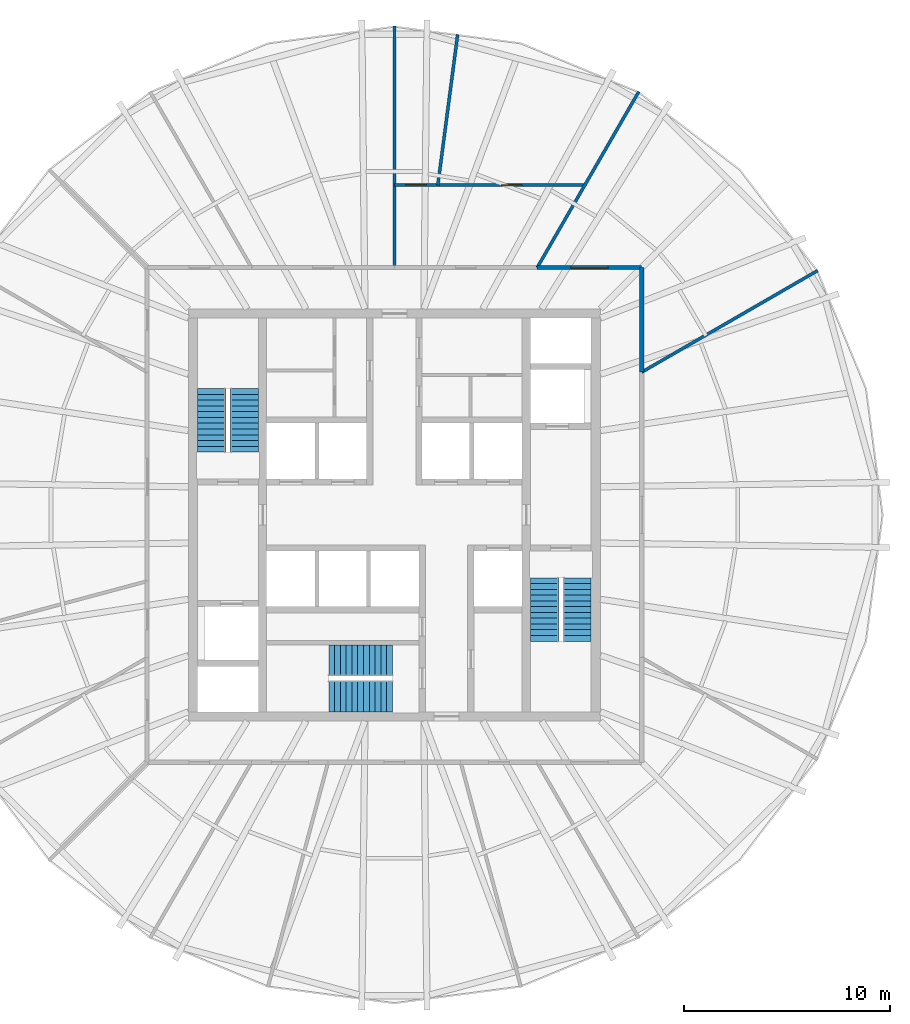
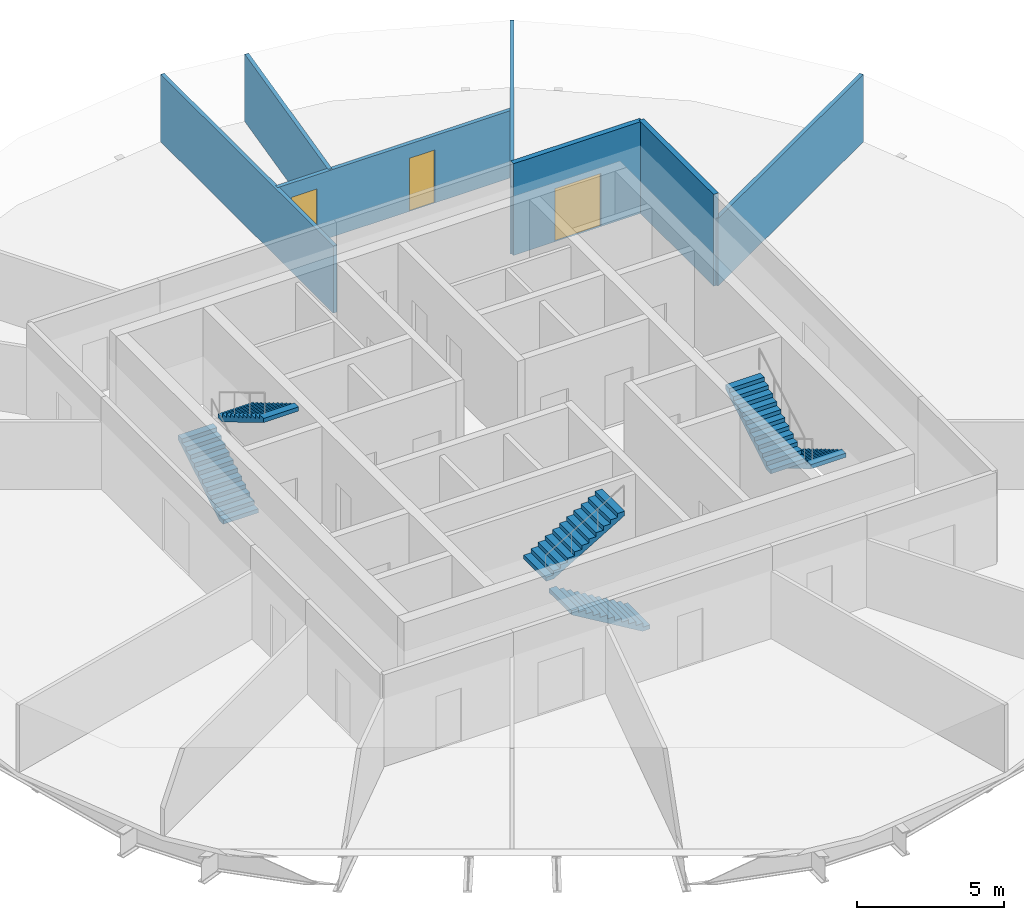
# One storey, part 5 of 6: 7 walls, 6 stair flights, 3 doors, 3 openings, 3 elements without a shape of their own.
"""IFC4 building model written with IfcOpenShell, lengths in metres."""

from ifc_helpers import new_model, si_unit, direction, frame, frame_2d, origin, place, context, subcontext, project, spatial, polyline, rectangle, outline, extrude, material, layer, layer_set, type_object, element, fill, aggregate, save


model = new_model("IFC4")

# Units and contexts
model_context = context("Model", 3, precision=1e-05, world=origin(), true_north=direction((0.0, 1.0)))
body_context = subcontext(model_context, "Body", "Model", "MODEL_VIEW")
ifc_project = project(units=[si_unit("LENGTHUNIT", "METRE"), si_unit("AREAUNIT", "SQUARE_METRE"), si_unit("VOLUMEUNIT", "CUBIC_METRE"), si_unit("PLANEANGLEUNIT", "RADIAN"), si_unit("MASSUNIT", "GRAM", prefix="KILO")], contexts=[model_context])

# Site, building, storey
site_placement = place(None, origin())
site = spatial("IfcSite", under=ifc_project, at=site_placement, CompositionType="ELEMENT")
building_placement = place(site_placement, origin())
building = spatial("IfcBuilding", under=site, at=building_placement, Name="Golbaran Civic Tower", CompositionType="ELEMENT")
storey_placement = place(building_placement, frame((0.0, 0.0, 187.0)))
storey = spatial("IfcBuildingStorey", under=building, at=storey_placement, Name="L45", CompositionType="ELEMENT", Elevation=187.0)

# Wall
ifc_material_1 = material(Name="Gypsum board on steel studs, fire-rated", Category="steel")
ifc_layer_1 = layer(ifc_material_1, 0.199951171875, Name="Gypsum board on steel studs, fire-rated")
ifc_layer_set_1 = layer_set([ifc_layer_1], Name="Gypsum board on steel studs, fire-rated")
wall_type_1 = type_object("IfcWallType", Name="CORRIDOR WALL 200", PredefinedType="PARTITIONING", material=ifc_layer_set_1)
wall_1_placement = place(storey_placement, frame((12.0, 6.92822265625, 0.0), z_axis=(0.0, 0.0, 1.0), x_axis=(0.0, 1.0, 0.0)))
element("IfcWall", 1, at=wall_1_placement, inside=storey, type_object=wall_type_1, Name="Corridor wall L45", PredefinedType="PARTITIONING", context=body_context, shape_type="SweptSolid", body=[
    extrude(rectangle(XDim=5.07177734375, YDim=0.199951171875, at=frame_2d((2.535888671875, 0.0))), origin(), (0.0, 0.0, 1.0), 3.800048828125),
])

# Wall, opening, door
wall_2_placement = place(storey_placement, frame((12.0, 12.0, 0.0), z_axis=(0.0, 0.0, 1.0), x_axis=(-1.0, 0.0, 0.0)))
wall_2 = element("IfcWall", 2, at=wall_2_placement, inside=storey, type_object=wall_type_1, Name="Corridor wall L45", PredefinedType="PARTITIONING", context=body_context, shape_type="SweptSolid", body=[
    extrude(rectangle(XDim=5.07177734375, YDim=0.199951171875, at=frame_2d((2.535888671875, 0.0))), origin(), (0.0, 0.0, 1.0), 3.800048828125),
])
opening_1_placement = place(wall_2_placement, frame((1.635986328125, 0.0, 0.0)))
opening_1 = element("IfcOpeningElement", 3, at=opening_1_placement, cuts=wall_2, Name="Opening L45.05", PredefinedType="OPENING", context=body_context, shape_type="SweptSolid", body=[
    extrude(rectangle(XDim=1.800048828125, YDim=2.199951171875, at=frame_2d((0.89990234375, 1.10009765625))), frame((0.0, 0.10986328125, 0.0), z_axis=(0.0, -1.0, 0.0), x_axis=(1.0, 0.0, 0.0)), (0.0, 0.0, 1.0), 0.219970703125),
])
ifc_material_2 = material(Name="Timber door set in steel frame", Category="steel")
door_type_1 = type_object("IfcDoorType", Name="OFFICE DOUBLE DOOR 1800x2200", OperationType="DOUBLE_DOOR_SINGLE_SWING", PredefinedType="DOOR", material=ifc_material_2)
door_1_placement = place(opening_1_placement, origin())
door_1 = element("IfcDoor", 4, at=door_1_placement, inside=storey, type_object=door_type_1, Name="Open Office door L45", OperationType="DOUBLE_DOOR_SINGLE_SWING", OverallHeight=2.199951171875, OverallWidth=1.800048828125, PredefinedType="DOOR", context=body_context, shape_type="SweptSolid", body=[
    extrude(rectangle(XDim=1.800048828125, YDim=2.199951171875, at=frame_2d((0.89990234375, 1.10009765625))), frame((0.0, 0.02490234375, 0.0), z_axis=(0.0, -1.0, 0.0), x_axis=(1.0, 0.0, 0.0)), (0.0, 0.0, 1.0), 0.050048828125),
])
fill(opening_1, door_1)

# Walls
ifc_material_3 = material(Name="Gypsum board on steel studs", Category="steel")
ifc_layer_2 = layer(ifc_material_3, 0.14990234375, Name="Gypsum board on steel studs")
ifc_layer_set_2 = layer_set([ifc_layer_2], Name="Gypsum board on steel studs")
wall_type_2 = type_object("IfcWallType", Name="OFFICE PARTITION 150", PredefinedType="PARTITIONING", material=ifc_layer_set_2)
for number, where, z_axis, x_axis, name in (
    (5, (12.0, 6.92822265625, 0.0), (0.0, 0.0, 1.0), (0.866027739639, 0.49999595416, 0.0), "Partition 30 L45"),
    (6, (6.92822265625, 12.0, 0.0), (0.0, 0.0, 1.0), (0.49999595416, 0.866027739639, 0.0), "Partition 60 L45"),
):
    element("IfcWall", number, at=place(storey_placement, frame(where, z_axis=z_axis, x_axis=x_axis)), inside=storey, type_object=wall_type_2, Name=name, PredefinedType="PARTITIONING", context=body_context, shape_type="SweptSolid", body=[
        extrude(rectangle(XDim=9.86474609375, YDim=0.14990234375, at=frame_2d((4.932373046875, 0.0))), origin(), (0.0, 0.0, 1.0), 2.7900390625),
    ])
wall_3_placement = place(storey_placement, frame((0.0, 12.0, 0.0), z_axis=(0.0, 0.0, 1.0), x_axis=(0.0, 1.0, 0.0)))
element("IfcWall", 7, at=wall_3_placement, inside=storey, type_object=wall_type_2, Name="Partition 90 L45", PredefinedType="PARTITIONING", context=body_context, shape_type="SweptSolid", body=[
    extrude(rectangle(XDim=11.72119140625, YDim=0.14990234375, at=frame_2d((5.860595703125, 0.0))), origin(), (0.0, 0.0, 1.0), 2.7900390625),
])

# Wall, openings, doors
wall_4_placement = place(storey_placement, frame((9.237548828125, 16.0, 0.0), z_axis=(0.0, 0.0, 1.0), x_axis=(-1.0, 0.0, 0.0)))
wall_4 = element("IfcWall", 8, at=wall_4_placement, inside=storey, type_object=wall_type_2, Name="Suite partition L45", PredefinedType="PARTITIONING", context=body_context, shape_type="SweptSolid", body=[
    extrude(rectangle(XDim=9.237548828125, YDim=0.14990234375, at=frame_2d((4.61865234375, 0.0))), origin(), (0.0, 0.0, 1.0), 2.7900390625),
])
opening_2_placement = place(wall_4_placement, frame((3.065673828125, 0.0, 0.0)))
opening_2 = element("IfcOpeningElement", 9, at=opening_2_placement, cuts=wall_4, Name="Opening L45.02", PredefinedType="OPENING", context=body_context, shape_type="SweptSolid", body=[
    extrude(rectangle(XDim=1.0, YDim=2.199951171875, at=frame_2d((0.5, 1.10009765625))), frame((0.0, 0.0849609375, 0.0), z_axis=(0.0, -1.0, 0.0), x_axis=(1.0, 0.0, 0.0)), (0.0, 0.0, 1.0), 0.169921875),
])
opening_3_placement = place(wall_4_placement, frame((7.684326171875, 0.0, 0.0)))
opening_3 = element("IfcOpeningElement", 10, at=opening_3_placement, cuts=wall_4, Name="Opening L45.03", PredefinedType="OPENING", context=body_context, shape_type="SweptSolid", body=[
    extrude(rectangle(XDim=1.0, YDim=2.199951171875, at=frame_2d((0.5, 1.10009765625))), frame((0.0, 0.0849609375, 0.0), z_axis=(0.0, -1.0, 0.0), x_axis=(1.0, 0.0, 0.0)), (0.0, 0.0, 1.0), 0.169921875),
])
door_type_2 = type_object("IfcDoorType", Name="OFFICE DOOR 1000x2200", OperationType="SINGLE_SWING_LEFT", PredefinedType="DOOR", material=ifc_material_2)
door_2_placement = place(opening_2_placement, origin())
door_2 = element("IfcDoor", 11, at=door_2_placement, inside=storey, type_object=door_type_2, Name="Director's Office door L45", OperationType="SINGLE_SWING_LEFT", OverallHeight=2.199951171875, OverallWidth=1.0, PredefinedType="DOOR", context=body_context, shape_type="SweptSolid", body=[
    extrude(rectangle(XDim=1.0, YDim=2.199951171875, at=frame_2d((0.5, 1.10009765625))), frame((0.0, 0.02490234375, 0.0), z_axis=(0.0, -1.0, 0.0), x_axis=(1.0, 0.0, 0.0)), (0.0, 0.0, 1.0), 0.050048828125),
])
fill(opening_2, door_2)
door_3_placement = place(opening_3_placement, origin())
door_3 = element("IfcDoor", 12, at=door_3_placement, inside=storey, type_object=door_type_2, Name="Office door L45", OperationType="SINGLE_SWING_RIGHT", OverallHeight=2.199951171875, OverallWidth=1.0, PredefinedType="DOOR", context=body_context, shape_type="SweptSolid", body=[
    extrude(rectangle(XDim=1.0, YDim=2.199951171875, at=frame_2d((0.5, 1.10009765625))), frame((0.0, 0.02490234375, 0.0), z_axis=(0.0, -1.0, 0.0), x_axis=(1.0, 0.0, 0.0)), (0.0, 0.0, 1.0), 0.050048828125),
])
fill(opening_3, door_3)

# Wall
wall_5_placement = place(storey_placement, frame((2.1064453125, 16.0, 0.0), z_axis=(0.0, 0.0, 1.0), x_axis=(0.130534093561, 0.991443821111, 0.0)))
element("IfcWall", 13, at=wall_5_placement, inside=storey, type_object=wall_type_2, Name="Partition 82.5 L45", PredefinedType="PARTITIONING", context=body_context, shape_type="SweptSolid", body=[
    extrude(rectangle(XDim=7.38037109375, YDim=0.14990234375, at=frame_2d((3.690185546875, 0.0))), origin(), (0.0, 0.0, 1.0), 2.7900390625),
])

# Stair, stair flights
ifc_material_4 = material(Name="Concrete C35/45", Category="concrete")
stair_type_1 = type_object("IfcStairType", Name="EXIT STAIR 2950 x 7800, 4000 RISE", PredefinedType="HALF_TURN_STAIR", material=ifc_material_4)
stair_1_placement = place(storey_placement, origin())
stair_1 = element("IfcStair", 14, at=stair_1_placement, inside=storey, type_object=stair_type_1, Name="Stair S1 L45", PredefinedType="HALF_TURN_STAIR")
stair_flight_type_1 = type_object("IfcStairFlightType", Name="STAIR FLIGHT 1375 WIDE", PredefinedType="STRAIGHT", material=ifc_material_4)
stair_flight_1_placement = place(storey_placement, frame((-8.862548828125, 3.050048828125, 0.0), z_axis=(0.0, 0.0, 1.0), x_axis=(0.0, 1.0, 0.0)))
stair_flight_1 = element("IfcStairFlight", 15, at=stair_flight_1_placement, type_object=stair_flight_type_1, Name="ST29578-40 flight 1", NumberOfRisers=12, NumberOfTreads=11, PredefinedType="STRAIGHT", RiserHeight=0.166666667, TreadLength=0.28, context=body_context, shape_type="SweptSolid", body=[
    extrude(outline(polyline([(0.0, 0.0), (0.0, 0.166748046875), (0.280029296875, 0.166748046875), (0.280029296875, 0.333251953125), (0.56005859375, 0.333251953125), (0.56005859375, 0.5), (0.840087890625, 0.5), (0.840087890625, 0.666748046875), (1.1201171875, 0.666748046875), (1.1201171875, 0.833251953125), (1.39990234375, 0.833251953125), (1.39990234375, 1.0), (1.679931640625, 1.0), (1.679931640625, 1.166748046875), (1.9599609375, 1.166748046875), (1.9599609375, 1.333251953125), (2.239990234375, 1.333251953125), (2.239990234375, 1.5), (2.52001953125, 1.5), (2.52001953125, 1.666748046875), (2.800048828125, 1.666748046875), (2.800048828125, 1.833251953125), (3.080078125, 1.833251953125), (3.080078125, 2.0), (3.080078125, 1.658935546875), (0.29296875, 0.0), (0.0, 0.0)])), frame((0.0, 0.6875, 0.0), z_axis=(0.0, -1.0, 0.0), x_axis=(1.0, 0.0, 0.0)), (0.0, 0.0, 1.0), 1.375),
])
stair_flight_2_placement = place(storey_placement, frame((-7.28759765625, 6.1298828125, 2.0), z_axis=(0.0, 0.0, 1.0), x_axis=(0.0, -1.0, 0.0)))
stair_flight_2 = element("IfcStairFlight", 16, at=stair_flight_2_placement, type_object=stair_flight_type_1, Name="ST29578-40 flight 2", NumberOfRisers=12, NumberOfTreads=11, PredefinedType="STRAIGHT", RiserHeight=0.166666667, TreadLength=0.28, context=body_context, shape_type="SweptSolid", body=[
    extrude(outline(polyline([(0.0, 0.0), (0.0, 0.166748046875), (0.280029296875, 0.166748046875), (0.280029296875, 0.333251953125), (0.56005859375, 0.333251953125), (0.56005859375, 0.5), (0.840087890625, 0.5), (0.840087890625, 0.666748046875), (1.1201171875, 0.666748046875), (1.1201171875, 0.833251953125), (1.39990234375, 0.833251953125), (1.39990234375, 1.0), (1.679931640625, 1.0), (1.679931640625, 1.166748046875), (1.9599609375, 1.166748046875), (1.9599609375, 1.333251953125), (2.239990234375, 1.333251953125), (2.239990234375, 1.5), (2.52001953125, 1.5), (2.52001953125, 1.666748046875), (2.800048828125, 1.666748046875), (2.800048828125, 1.833251953125), (3.080078125, 1.833251953125), (3.080078125, 2.0), (3.080078125, 1.658935546875), (0.29296875, 0.0), (0.0, 0.0)])), frame((0.0, 0.6875, 0.0), z_axis=(0.0, -1.0, 0.0), x_axis=(1.0, 0.0, 0.0)), (0.0, 0.0, 1.0), 1.375),
])
aggregate(stair_1, [stair_flight_1, stair_flight_2])

stair_2_placement = place(storey_placement, origin())
stair_2 = element("IfcStair", 17, at=stair_2_placement, inside=storey, type_object=stair_type_1, Name="Stair S2 L45", PredefinedType="HALF_TURN_STAIR")
stair_flight_3_placement = place(storey_placement, frame((8.862548828125, -3.050048828125, 0.0), z_axis=(0.0, 0.0, 1.0), x_axis=(0.0, -1.0, 0.0)))
stair_flight_3 = element("IfcStairFlight", 18, at=stair_flight_3_placement, type_object=stair_flight_type_1, Name="ST29578-40 flight 1", NumberOfRisers=12, NumberOfTreads=11, PredefinedType="STRAIGHT", RiserHeight=0.166666667, TreadLength=0.28, context=body_context, shape_type="SweptSolid", body=[
    extrude(outline(polyline([(0.0, 0.0), (0.0, 0.166748046875), (0.280029296875, 0.166748046875), (0.280029296875, 0.333251953125), (0.56005859375, 0.333251953125), (0.56005859375, 0.5), (0.840087890625, 0.5), (0.840087890625, 0.666748046875), (1.1201171875, 0.666748046875), (1.1201171875, 0.833251953125), (1.39990234375, 0.833251953125), (1.39990234375, 1.0), (1.679931640625, 1.0), (1.679931640625, 1.166748046875), (1.9599609375, 1.166748046875), (1.9599609375, 1.333251953125), (2.239990234375, 1.333251953125), (2.239990234375, 1.5), (2.52001953125, 1.5), (2.52001953125, 1.666748046875), (2.800048828125, 1.666748046875), (2.800048828125, 1.833251953125), (3.080078125, 1.833251953125), (3.080078125, 2.0), (3.080078125, 1.658935546875), (0.29296875, 0.0), (0.0, 0.0)])), frame((0.0, 0.6875, 0.0), z_axis=(0.0, -1.0, 0.0), x_axis=(1.0, 0.0, 0.0)), (0.0, 0.0, 1.0), 1.375),
])
stair_flight_4_placement = place(storey_placement, frame((7.28759765625, -6.1298828125, 2.0), z_axis=(0.0, 0.0, 1.0), x_axis=(0.0, 1.0, 0.0)))
stair_flight_4 = element("IfcStairFlight", 19, at=stair_flight_4_placement, type_object=stair_flight_type_1, Name="ST29578-40 flight 2", NumberOfRisers=12, NumberOfTreads=11, PredefinedType="STRAIGHT", RiserHeight=0.166666667, TreadLength=0.28, context=body_context, shape_type="SweptSolid", body=[
    extrude(outline(polyline([(0.0, 0.0), (0.0, 0.166748046875), (0.280029296875, 0.166748046875), (0.280029296875, 0.333251953125), (0.56005859375, 0.333251953125), (0.56005859375, 0.5), (0.840087890625, 0.5), (0.840087890625, 0.666748046875), (1.1201171875, 0.666748046875), (1.1201171875, 0.833251953125), (1.39990234375, 0.833251953125), (1.39990234375, 1.0), (1.679931640625, 1.0), (1.679931640625, 1.166748046875), (1.9599609375, 1.166748046875), (1.9599609375, 1.333251953125), (2.239990234375, 1.333251953125), (2.239990234375, 1.5), (2.52001953125, 1.5), (2.52001953125, 1.666748046875), (2.800048828125, 1.666748046875), (2.800048828125, 1.833251953125), (3.080078125, 1.833251953125), (3.080078125, 2.0), (3.080078125, 1.658935546875), (0.29296875, 0.0), (0.0, 0.0)])), frame((0.0, 0.6875, 0.0), z_axis=(0.0, -1.0, 0.0), x_axis=(1.0, 0.0, 0.0)), (0.0, 0.0, 1.0), 1.375),
])
aggregate(stair_2, [stair_flight_3, stair_flight_4])

stair_type_2 = type_object("IfcStairType", Name="EXIT STAIR 3250 x 7400, 4000 RISE", PredefinedType="HALF_TURN_STAIR", material=ifc_material_4)
stair_3_placement = place(storey_placement, origin())
stair_3 = element("IfcStair", 20, at=stair_3_placement, inside=storey, type_object=stair_type_2, Name="Stair S3 L45", PredefinedType="HALF_TURN_STAIR")
stair_flight_type_2 = type_object("IfcStairFlightType", Name="STAIR FLIGHT 1525 WIDE", PredefinedType="STRAIGHT", material=ifc_material_4)
stair_flight_5_placement = place(storey_placement, frame((-0.10009765625, -8.78759765625, 0.0), z_axis=(0.0, 0.0, 1.0), x_axis=(-1.0, 0.0, 0.0)))
stair_flight_5 = element("IfcStairFlight", 21, at=stair_flight_5_placement, type_object=stair_flight_type_2, Name="ST32574-40 flight 1", NumberOfRisers=12, NumberOfTreads=11, PredefinedType="STRAIGHT", RiserHeight=0.166666667, TreadLength=0.28, context=body_context, shape_type="SweptSolid", body=[
    extrude(outline(polyline([(0.0, 0.0), (0.0, 0.166748046875), (0.280029296875, 0.166748046875), (0.280029296875, 0.333251953125), (0.56005859375, 0.333251953125), (0.56005859375, 0.5), (0.840087890625, 0.5), (0.840087890625, 0.666748046875), (1.1201171875, 0.666748046875), (1.1201171875, 0.833251953125), (1.39990234375, 0.833251953125), (1.39990234375, 1.0), (1.679931640625, 1.0), (1.679931640625, 1.166748046875), (1.9599609375, 1.166748046875), (1.9599609375, 1.333251953125), (2.239990234375, 1.333251953125), (2.239990234375, 1.5), (2.52001953125, 1.5), (2.52001953125, 1.666748046875), (2.800048828125, 1.666748046875), (2.800048828125, 1.833251953125), (3.080078125, 1.833251953125), (3.080078125, 2.0), (3.080078125, 1.658935546875), (0.29296875, 0.0), (0.0, 0.0)])), frame((0.0, 0.762451171875, 0.0), z_axis=(0.0, -1.0, 0.0), x_axis=(1.0, 0.0, 0.0)), (0.0, 0.0, 1.0), 1.52490234375),
])
stair_flight_6_placement = place(storey_placement, frame((-3.179931640625, -7.0625, 2.0), z_axis=(0.0, 0.0, 1.0), x_axis=(1.0, 0.0, 0.0)))
stair_flight_6 = element("IfcStairFlight", 22, at=stair_flight_6_placement, type_object=stair_flight_type_2, Name="ST32574-40 flight 2", NumberOfRisers=12, NumberOfTreads=11, PredefinedType="STRAIGHT", RiserHeight=0.166666667, TreadLength=0.28, context=body_context, shape_type="SweptSolid", body=[
    extrude(outline(polyline([(0.0, 0.0), (0.0, 0.166748046875), (0.280029296875, 0.166748046875), (0.280029296875, 0.333251953125), (0.56005859375, 0.333251953125), (0.56005859375, 0.5), (0.840087890625, 0.5), (0.840087890625, 0.666748046875), (1.1201171875, 0.666748046875), (1.1201171875, 0.833251953125), (1.39990234375, 0.833251953125), (1.39990234375, 1.0), (1.679931640625, 1.0), (1.679931640625, 1.166748046875), (1.9599609375, 1.166748046875), (1.9599609375, 1.333251953125), (2.239990234375, 1.333251953125), (2.239990234375, 1.5), (2.52001953125, 1.5), (2.52001953125, 1.666748046875), (2.800048828125, 1.666748046875), (2.800048828125, 1.833251953125), (3.080078125, 1.833251953125), (3.080078125, 2.0), (3.080078125, 1.658935546875), (0.29296875, 0.0), (0.0, 0.0)])), frame((0.0, 0.762451171875, 0.0), z_axis=(0.0, -1.0, 0.0), x_axis=(1.0, 0.0, 0.0)), (0.0, 0.0, 1.0), 1.52490234375),
])
aggregate(stair_3, [stair_flight_5, stair_flight_6])

save(model, "model.ifc")
